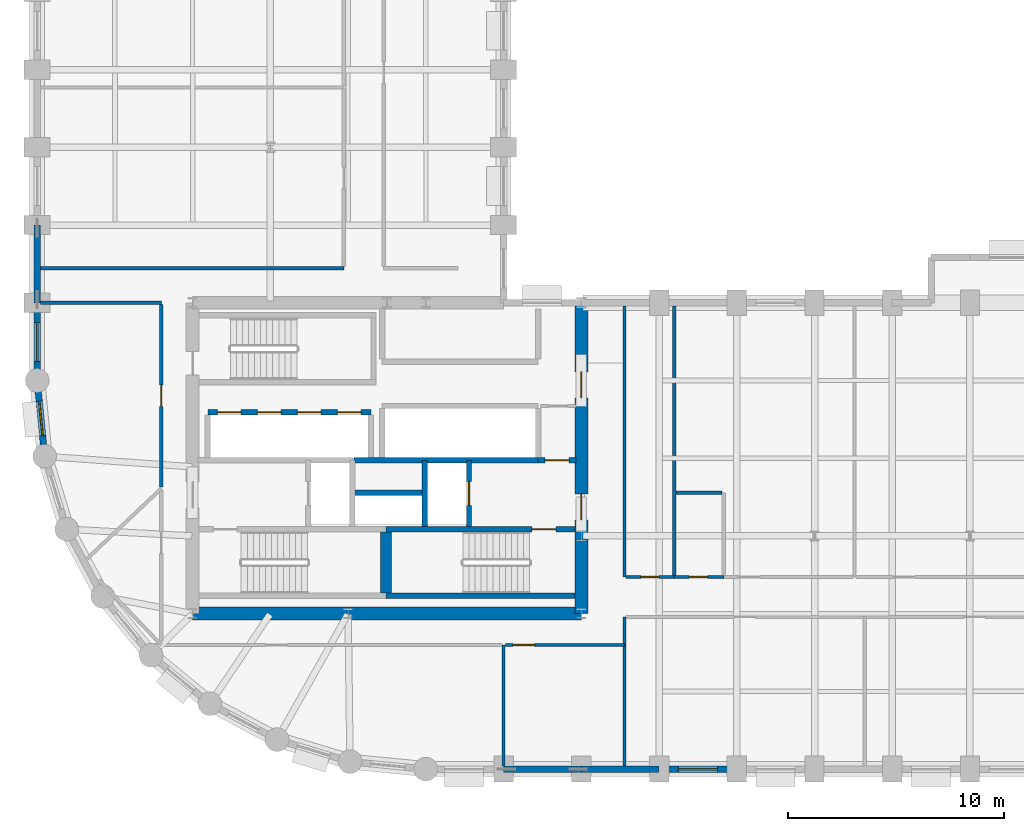
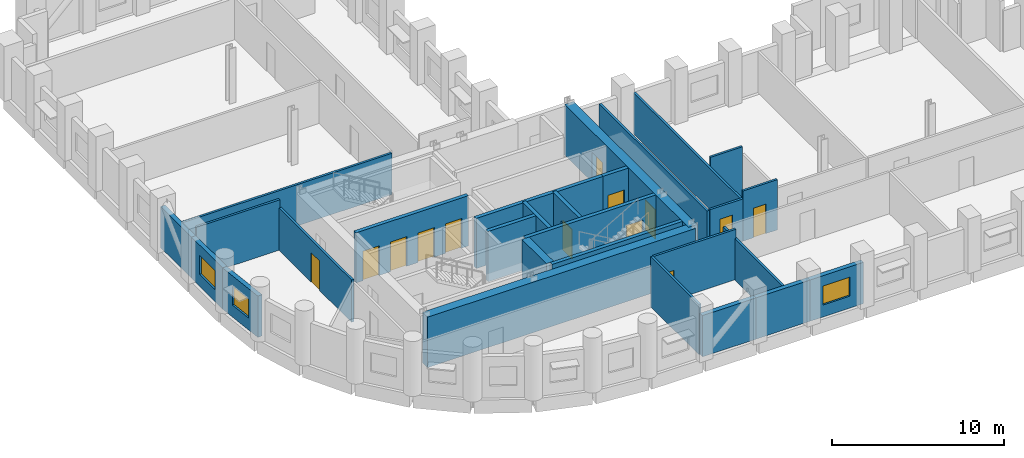
# One storey, part 4 of 9: 28 walls, 13 doors, 3 windows, 16 openings.
"""IFC4 building model written with IfcOpenShell, lengths in metres."""

from ifc_helpers import new_model, si_unit, direction, frame, frame_2d, origin, place, context, subcontext, project, spatial, rectangle, extrude, material, layer, layer_set, type_object, element, fill, save


model = new_model("IFC4")

# Units and contexts
model_context = context("Model", 3, precision=1e-05, world=origin(), true_north=direction((0.0, 1.0)))
body_context = subcontext(model_context, "Body", "Model", "MODEL_VIEW")
ifc_project = project(units=[si_unit("LENGTHUNIT", "METRE"), si_unit("AREAUNIT", "SQUARE_METRE"), si_unit("VOLUMEUNIT", "CUBIC_METRE"), si_unit("PLANEANGLEUNIT", "RADIAN"), si_unit("MASSUNIT", "GRAM", prefix="KILO")], contexts=[model_context])

# Site, building, storey
site_placement = place(None, origin())
site = spatial("IfcSite", under=ifc_project, at=site_placement, CompositionType="ELEMENT")
building_placement = place(site_placement, origin())
building = spatial("IfcBuilding", under=site, at=building_placement, Name="Solnavia Interchange Tower", CompositionType="ELEMENT")
storey_placement = place(building_placement, frame((0.0, 0.0, 70.800048828125)))
storey = spatial("IfcBuildingStorey", under=building, at=storey_placement, Name="L17", CompositionType="ELEMENT", Elevation=70.800048828125)

# Walls
ifc_material_1 = material(Name="Concrete C40/50", Category="concrete")
ifc_layer_1 = layer(ifc_material_1, 0.300048828125)
ifc_layer_set_1 = layer_set([ifc_layer_1], Name="Concrete C40/50")
wall_type_1 = type_object("IfcWallType", Name="Wall-ExtSpandrel-300", PredefinedType="STANDARD", material=ifc_layer_set_1)
wall_1_placement = place(storey_placement, frame((32.39990234375, 3.60009765625, 0.0), z_axis=(0.0, 0.0, 1.0), x_axis=(-1.0, 0.0, 0.0)))
element("IfcWall", 1, at=wall_1_placement, inside=storey, type_object=wall_type_1, Name="EXW-L17-02 Exterior precast spandrel wall", PredefinedType="STANDARD", context=body_context, shape_type="SweptSolid", body=[
    extrude(rectangle(XDim=3.599853515625, YDim=0.300048828125, at=frame_2d((1.7998046875, 0.0))), origin(), (0.0, 0.0, 1.0), 2.929931640625),
])
wall_2_placement = place(storey_placement, frame((36.0, 3.60009765625, 0.0), z_axis=(0.0, 0.0, 1.0), x_axis=(-1.0, 0.0, 0.0)))
element("IfcWall", 2, at=wall_2_placement, inside=storey, type_object=wall_type_1, Name="EXW-L17-03 Exterior precast spandrel wall", PredefinedType="STANDARD", context=body_context, shape_type="SweptSolid", body=[
    extrude(rectangle(XDim=3.60009765625, YDim=0.300048828125, at=frame_2d((1.800048828125, 0.0))), origin(), (0.0, 0.0, 1.0), 2.929931640625),
])

# Wall, opening, window
wall_3_placement = place(storey_placement, frame((39.60009765625, 3.60009765625, 0.0), z_axis=(0.0, 0.0, 1.0), x_axis=(-1.0, 0.0, 0.0)))
wall_3 = element("IfcWall", 3, at=wall_3_placement, inside=storey, type_object=wall_type_1, Name="EXW-L17-04 Exterior precast spandrel wall", PredefinedType="STANDARD", context=body_context, shape_type="SweptSolid", body=[
    extrude(rectangle(XDim=3.60009765625, YDim=0.300048828125, at=frame_2d((1.800048828125, 0.0))), origin(), (0.0, 0.0, 1.0), 2.929931640625),
])
opening_1_placement = place(wall_3_placement, frame((0.89990234375, 0.0, 0.85009765625)))
opening_1 = element("IfcOpeningElement", 4, at=opening_1_placement, cuts=wall_3, Name="Opening WIN-02", PredefinedType="OPENING", context=body_context, shape_type="SweptSolid", body=[
    extrude(rectangle(XDim=1.800048828125, YDim=1.35009765625, at=frame_2d((0.89990234375, 0.675048828125))), frame((0.0, 0.16015625, 0.0), z_axis=(0.0, -1.0, 0.0), x_axis=(1.0, 0.0, 0.0)), (0.0, 0.0, 1.0), 0.320068359375),
])
ifc_material_2 = material(Name="Thermal-Break Aluminium & Low-E Glass", Category="aluminium")
window_type_1 = type_object("IfcWindowType", Name="Window-Ribbon-1800x1350", PartitioningType="SINGLE_PANEL", PredefinedType="WINDOW", material=ifc_material_2)
window_1_placement = place(opening_1_placement, origin())
window_1 = element("IfcWindow", 5, at=window_1_placement, inside=storey, type_object=window_type_1, Name="WIN-L17-04 Facade ribbon window", OverallHeight=1.35009765625, OverallWidth=1.800048828125, PartitioningType="SINGLE_PANEL", PredefinedType="WINDOW", context=body_context, shape_type="SweptSolid", body=[
    extrude(rectangle(XDim=1.800048828125, YDim=1.35009765625, at=frame_2d((0.89990234375, 0.675048828125))), frame((0.0, 0.030029296875, 0.0), z_axis=(0.0, -1.0, 0.0), x_axis=(1.0, 0.0, 0.0)), (0.0, 0.0, 1.0), 0.06005859375),
])
fill(opening_1, window_1)

# Wall
wall_4_placement = place(storey_placement, frame((7.199951171875, 25.199951171875, 0.0), z_axis=(0.0, 0.0, 1.0), x_axis=(0.0, 1.0, 0.0)))
element("IfcWall", 6, at=wall_4_placement, inside=storey, type_object=wall_type_1, Name="EXW-L17-57 Exterior precast spandrel wall", PredefinedType="STANDARD", context=body_context, shape_type="SweptSolid", body=[
    extrude(rectangle(XDim=3.60009765625, YDim=0.300048828125, at=frame_2d((1.800048828125, 0.0))), origin(), (0.0, 0.0, 1.0), 2.929931640625),
])

# Wall, opening, window
wall_5_placement = place(storey_placement, frame((7.199951171875, 21.60009765625, 0.0), z_axis=(0.0, 0.0, 1.0), x_axis=(0.0, 1.0, 0.0)))
wall_5 = element("IfcWall", 7, at=wall_5_placement, inside=storey, type_object=wall_type_1, Name="EXW-L17-58 Exterior precast spandrel wall", PredefinedType="STANDARD", context=body_context, shape_type="SweptSolid", body=[
    extrude(rectangle(XDim=3.599853515625, YDim=0.300048828125, at=frame_2d((1.7998046875, 0.0))), origin(), (0.0, 0.0, 1.0), 2.929931640625),
])
opening_2_placement = place(wall_5_placement, frame((0.875, 0.0, 0.85009765625)))
opening_2 = element("IfcOpeningElement", 8, at=opening_2_placement, cuts=wall_5, Name="Opening WIN-02", PredefinedType="OPENING", context=body_context, shape_type="SweptSolid", body=[
    extrude(rectangle(XDim=1.800048828125, YDim=1.35009765625, at=frame_2d((0.89990234375, 0.675048828125))), frame((0.0, 0.16015625, 0.0), z_axis=(0.0, -1.0, 0.0), x_axis=(1.0, 0.0, 0.0)), (0.0, 0.0, 1.0), 0.320068359375),
])
window_2_placement = place(opening_2_placement, origin())
window_2 = element("IfcWindow", 9, at=window_2_placement, inside=storey, type_object=window_type_1, Name="WIN-L17-58 Facade ribbon window", OverallHeight=1.35009765625, OverallWidth=1.800048828125, PartitioningType="SINGLE_PANEL", PredefinedType="WINDOW", context=body_context, shape_type="SweptSolid", body=[
    extrude(rectangle(XDim=1.800048828125, YDim=1.35009765625, at=frame_2d((0.89990234375, 0.675048828125))), frame((0.0, 0.030029296875, 0.0), z_axis=(0.0, -1.0, 0.0), x_axis=(1.0, 0.0, 0.0)), (0.0, 0.0, 1.0), 0.06005859375),
])
fill(opening_2, window_2)

wall_6_placement = place(storey_placement, frame((7.5458984375, 18.087890625, 0.0), z_axis=(0.0, 0.0, 1.0), x_axis=(-0.09802417461, 0.995184033831, 0.0)))
wall_6 = element("IfcWall", 10, at=wall_6_placement, inside=storey, type_object=wall_type_1, Name="EXW-L17-59 Exterior precast spandrel wall", PredefinedType="STANDARD", context=body_context, shape_type="SweptSolid", body=[
    extrude(rectangle(XDim=3.529296875, YDim=0.300048828125, at=frame_2d((1.7646484375, 0.0))), origin(), (0.0, 0.0, 1.0), 2.929931640625),
])
opening_3_placement = place(wall_6_placement, frame((0.965087890625, 0.0, 0.85009765625)))
opening_3 = element("IfcOpeningElement", 11, at=opening_3_placement, cuts=wall_6, Name="Opening WIN-04", PredefinedType="OPENING", context=body_context, shape_type="SweptSolid", body=[
    extrude(rectangle(XDim=1.60009765625, YDim=1.35009765625, at=frame_2d((0.800048828125, 0.675048828125))), frame((0.0, 0.16015625, 0.0), z_axis=(0.0, -1.0, 0.0), x_axis=(1.0, 0.0, 0.0)), (0.0, 0.0, 1.0), 0.320068359375),
])
window_type_2 = type_object("IfcWindowType", Name="Window-Drum-1600x1350", PartitioningType="SINGLE_PANEL", PredefinedType="WINDOW", material=ifc_material_2)
window_3_placement = place(opening_3_placement, origin())
window_3 = element("IfcWindow", 12, at=window_3_placement, inside=storey, type_object=window_type_2, Name="WIN-L17-59 Facade ribbon window", OverallHeight=1.35009765625, OverallWidth=1.60009765625, PartitioningType="SINGLE_PANEL", PredefinedType="WINDOW", context=body_context, shape_type="SweptSolid", body=[
    extrude(rectangle(XDim=1.60009765625, YDim=1.35009765625, at=frame_2d((0.800048828125, 0.675048828125))), frame((0.0, 0.030029296875, 0.0), z_axis=(0.0, -1.0, 0.0), x_axis=(1.0, 0.0, 0.0)), (0.0, 0.0, 1.0), 0.06005859375),
])
fill(opening_3, window_3)

# Walls
ifc_material_3 = material(Name="Gypsum Plasterboard & Steel Stud", Category="steel")
ifc_layer_2 = layer(ifc_material_3, 0.14990234375)
ifc_layer_set_2 = layer_set([ifc_layer_2], Name="Gypsum Plasterboard & Steel Stud")
wall_type_2 = type_object("IfcWallType", Name="Wall-Partition-150", PredefinedType="PARTITIONING", material=ifc_layer_set_2)
wall_7_placement = place(storey_placement, frame((7.35400390625, 25.199951171875, 0.0), z_axis=(0.0, 0.0, 1.0), x_axis=(1.0, 0.0, 0.0)))
element("IfcWall", 13, at=wall_7_placement, inside=storey, type_object=wall_type_2, Name="PTW-L17-07 Interior partition wall", PredefinedType="PARTITIONING", context=body_context, shape_type="SweptSolid", body=[
    extrude(rectangle(XDim=5.595947265625, YDim=0.14990234375, at=frame_2d((2.7978515625, 0.0))), origin(), (0.0, 0.0, 1.0), 3.56494140625),
])
wall_8_placement = place(storey_placement, frame((28.800048828125, 9.35009765625, 0.0), z_axis=(0.0, 0.0, 1.0), x_axis=(0.0, -1.0, 0.0)))
element("IfcWall", 14, at=wall_8_placement, inside=storey, type_object=wall_type_2, Name="PTW-L17-08 Interior partition wall", PredefinedType="PARTITIONING", context=body_context, shape_type="SweptSolid", body=[
    extrude(rectangle(XDim=5.59619140625, YDim=0.14990234375, at=frame_2d((2.798095703125, 0.0))), origin(), (0.0, 0.0, 1.0), 3.56494140625),
])

# Wall, opening, door
wall_9_placement = place(storey_placement, frame((12.949951171875, 16.678955078125, 0.0), z_axis=(0.0, 0.0, 1.0), x_axis=(0.0, 1.0, 0.0)))
wall_9 = element("IfcWall", 15, at=wall_9_placement, inside=storey, type_object=wall_type_2, Name="PTW-L17-11 Interior partition wall", PredefinedType="PARTITIONING", context=body_context, shape_type="SweptSolid", body=[
    extrude(rectangle(XDim=8.442138671875, YDim=0.14990234375, at=frame_2d((4.22119140625, 0.0))), origin(), (0.0, 0.0, 1.0), 3.010009765625),
])
opening_4_placement = place(wall_9_placement, frame((3.720947265625, 0.0, 0.0)))
opening_4 = element("IfcOpeningElement", 16, at=opening_4_placement, cuts=wall_9, Name="Opening DR-07", PredefinedType="OPENING", context=body_context, shape_type="SweptSolid", body=[
    extrude(rectangle(XDim=1.0, YDim=2.10009765625, at=frame_2d((0.5, 1.050048828125))), frame((0.0, 0.0849609375, 0.0), z_axis=(0.0, -1.0, 0.0), x_axis=(1.0, 0.0, 0.0)), (0.0, 0.0, 1.0), 0.169921875),
])
ifc_material_4 = material(Name="Timber & Acoustic Glazed Office Door", Category="wood")
door_type_1 = type_object("IfcDoorType", Name="Door-Office-1000x2100", OperationType="SINGLE_SWING_RIGHT", PredefinedType="DOOR", material=ifc_material_4)
door_1_placement = place(opening_4_placement, origin())
door_1 = element("IfcDoor", 17, at=door_1_placement, inside=storey, type_object=door_type_1, Name="DR-L17-03 Interior room door", OperationType="SINGLE_SWING_LEFT", OverallHeight=2.10009765625, OverallWidth=1.0, PredefinedType="DOOR", context=body_context, shape_type="SweptSolid", body=[
    extrude(rectangle(XDim=1.0, YDim=2.10009765625, at=frame_2d((0.5, 1.050048828125))), frame((0.0, 0.02490234375, 0.0), z_axis=(0.0, -1.0, 0.0), x_axis=(1.0, 0.0, 0.0)), (0.0, 0.0, 1.0), 0.050048828125),
])
fill(opening_4, door_1)

wall_10_placement = place(storey_placement, frame((28.87890625, 9.35009765625, 0.0), z_axis=(0.0, 0.0, 1.0), x_axis=(1.0, 0.0, 0.0)))
wall_10 = element("IfcWall", 18, at=wall_10_placement, inside=storey, type_object=wall_type_2, Name="PTW-L17-14 Interior partition wall", PredefinedType="PARTITIONING", context=body_context, shape_type="SweptSolid", body=[
    extrude(rectangle(XDim=5.52099609375, YDim=0.14990234375, at=frame_2d((2.760498046875, 0.0))), origin(), (0.0, 0.0, 1.0), 3.56494140625),
])
opening_5_placement = place(wall_10_placement, frame((0.360107421875, 0.0, 0.0)))
opening_5 = element("IfcOpeningElement", 19, at=opening_5_placement, cuts=wall_10, Name="Opening DR-07", PredefinedType="OPENING", context=body_context, shape_type="SweptSolid", body=[
    extrude(rectangle(XDim=1.0, YDim=2.10009765625, at=frame_2d((0.5, 1.050048828125))), frame((0.0, 0.0849609375, 0.0), z_axis=(0.0, -1.0, 0.0), x_axis=(1.0, 0.0, 0.0)), (0.0, 0.0, 1.0), 0.169921875),
])
door_2_placement = place(opening_5_placement, origin())
door_2 = element("IfcDoor", 20, at=door_2_placement, inside=storey, type_object=door_type_1, Name="DR-L17-06 Interior room door", OperationType="SINGLE_SWING_LEFT", OverallHeight=2.10009765625, OverallWidth=1.0, PredefinedType="DOOR", context=body_context, shape_type="SweptSolid", body=[
    extrude(rectangle(XDim=1.0, YDim=2.10009765625, at=frame_2d((0.5, 1.050048828125))), frame((0.0, 0.02490234375, 0.0), z_axis=(0.0, -1.0, 0.0), x_axis=(1.0, 0.0, 0.0)), (0.0, 0.0, 1.0), 0.050048828125),
])
fill(opening_5, door_2)

# Walls
wall_11_placement = place(storey_placement, frame((34.39990234375, 3.75390625, 0.0), z_axis=(0.0, 0.0, 1.0), x_axis=(0.0, 1.0, 0.0)))
element("IfcWall", 21, at=wall_11_placement, inside=storey, type_object=wall_type_2, Name="PTW-L17-15 Interior partition wall", PredefinedType="PARTITIONING", context=body_context, shape_type="SweptSolid", body=[
    extrude(rectangle(XDim=6.89599609375, YDim=0.14990234375, at=frame_2d((3.447998046875, 0.0))), origin(), (0.0, 0.0, 1.0), 2.929931640625),
])
wall_12_placement = place(storey_placement, frame((7.35400390625, 26.800048828125, 0.0), z_axis=(0.0, 0.0, 1.0), x_axis=(1.0, 0.0, 0.0)))
element("IfcWall", 22, at=wall_12_placement, inside=storey, type_object=wall_type_2, Name="PTW-L17-25 Interior partition wall", PredefinedType="PARTITIONING", context=body_context, shape_type="SweptSolid", body=[
    extrude(rectangle(XDim=14.0458984375, YDim=0.14990234375, at=frame_2d((7.02294921875, 0.0))), origin(), (0.0, 0.0, 1.0), 2.929931640625),
])
ifc_layer_3 = layer(ifc_material_1, 0.25)
ifc_layer_set_3 = layer_set([ifc_layer_3], Name="Concrete C40/50")
wall_type_3 = type_object("IfcWallType", Name="Wall-ShaftCore-250", PredefinedType="SHEAR", material=ifc_layer_set_3)
wall_13_placement = place(storey_placement, frame((23.35009765625, 11.625, 0.0), z_axis=(0.0, 0.0, 1.0), x_axis=(1.0, 0.0, 0.0)))
element("IfcWall", 23, at=wall_13_placement, inside=storey, type_object=wall_type_3, Name="SHW-L17-ST2S Core shear wall", PredefinedType="SHEAR", context=body_context, shape_type="SweptSolid", body=[
    extrude(rectangle(XDim=8.75, YDim=0.25, at=frame_2d((4.375, 0.0))), origin(), (0.0, 0.0, 1.0), 3.579833984375),
])

# Wall, opening, door
wall_14_placement = place(storey_placement, frame((23.35009765625, 14.715087890625, 0.0), z_axis=(0.0, 0.0, 1.0), x_axis=(1.0, 0.0, 0.0)))
wall_14 = element("IfcWall", 24, at=wall_14_placement, inside=storey, type_object=wall_type_3, Name="SHW-L17-ST2N Core shear wall", PredefinedType="SHEAR", context=body_context, shape_type="SweptSolid", body=[
    extrude(rectangle(XDim=8.75, YDim=0.25, at=frame_2d((4.375, 0.0))), origin(), (0.0, 0.0, 1.0), 3.579833984375),
])
opening_6_placement = place(wall_14_placement, frame((6.77490234375, 0.0, 0.0)))
opening_6 = element("IfcOpeningElement", 25, at=opening_6_placement, cuts=wall_14, Name="Opening DR-01", PredefinedType="OPENING", context=body_context, shape_type="SweptSolid", body=[
    extrude(rectangle(XDim=1.10009765625, YDim=2.10009765625, at=frame_2d((0.550048828125, 1.050048828125))), frame((0.0, 0.135009765625, 0.0), z_axis=(0.0, -1.0, 0.0), x_axis=(1.0, 0.0, 0.0)), (0.0, 0.0, 1.0), 0.27001953125),
])
ifc_material_5 = material(Name="Steel Fire-Rated Leaf & Frame", Category="steel")
door_type_2 = type_object("IfcDoorType", Name="Door-StairFire-1100x2100", OperationType="SINGLE_SWING_LEFT", PredefinedType="DOOR", material=ifc_material_5)
door_3_placement = place(opening_6_placement, origin())
door_3 = element("IfcDoor", 26, at=door_3_placement, inside=storey, type_object=door_type_2, Name="DR-L17-ST2 Core fire door", OperationType="SINGLE_SWING_LEFT", OverallHeight=2.10009765625, OverallWidth=1.10009765625, PredefinedType="DOOR", context=body_context, shape_type="SweptSolid", body=[
    extrude(rectangle(XDim=1.10009765625, YDim=2.10009765625, at=frame_2d((0.550048828125, 1.050048828125))), frame((0.0, 0.02490234375, 0.0), z_axis=(0.0, -1.0, 0.0), x_axis=(1.0, 0.0, 0.0)), (0.0, 0.0, 1.0), 0.050048828125),
])
fill(opening_6, door_3)

# Wall
ifc_layer_4 = layer(ifc_material_1, 0.25)
ifc_layer_set_4 = layer_set([ifc_layer_4], Name="Concrete C40/50")
wall_type_4 = type_object("IfcWallType", Name="Wall-ShaftPart-250", PredefinedType="PARTITIONING", material=ifc_layer_set_4)
wall_15_placement = place(storey_placement, frame((21.8798828125, 17.89990234375, 0.0), z_axis=(0.0, 0.0, 1.0), x_axis=(1.0, 0.0, 0.0)))
element("IfcWall", 27, at=wall_15_placement, inside=storey, type_object=wall_type_4, Name="SHW-L17-FFLE-N1 Core shaft wall", PredefinedType="PARTITIONING", context=body_context, shape_type="SweptSolid", body=[
    extrude(rectangle(XDim=8.52001953125, YDim=0.25, at=frame_2d((4.260009765625, 0.0))), origin(), (0.0, 0.0, 1.0), 3.56494140625),
])

# Wall, opening, door
wall_16_placement = place(storey_placement, frame((30.39990234375, 17.89990234375, 0.0), z_axis=(0.0, 0.0, 1.0), x_axis=(1.0, 0.0, 0.0)))
wall_16 = element("IfcWall", 28, at=wall_16_placement, inside=storey, type_object=wall_type_4, Name="SHW-L17-FFLE-N2 Core shaft wall", PredefinedType="PARTITIONING", context=body_context, shape_type="SweptSolid", body=[
    extrude(rectangle(XDim=1.75, YDim=0.25, at=frame_2d((0.875, 0.0))), origin(), (0.0, 0.0, 1.0), 3.56494140625),
])
opening_7_placement = place(wall_16_placement, frame((0.320068359375, 0.0, 0.0)))
opening_7 = element("IfcOpeningElement", 29, at=opening_7_placement, cuts=wall_16, Name="Opening DR-01", PredefinedType="OPENING", context=body_context, shape_type="SweptSolid", body=[
    extrude(rectangle(XDim=1.10009765625, YDim=2.10009765625, at=frame_2d((0.550048828125, 1.050048828125))), frame((0.0, 0.135009765625, 0.0), z_axis=(0.0, -1.0, 0.0), x_axis=(1.0, 0.0, 0.0)), (0.0, 0.0, 1.0), 0.27001953125),
])
door_4_placement = place(opening_7_placement, origin())
door_4 = element("IfcDoor", 30, at=door_4_placement, inside=storey, type_object=door_type_2, Name="DR-L17-LLC Core fire door", OperationType="SINGLE_SWING_LEFT", OverallHeight=2.10009765625, OverallWidth=1.10009765625, PredefinedType="DOOR", context=body_context, shape_type="SweptSolid", body=[
    extrude(rectangle(XDim=1.10009765625, YDim=2.10009765625, at=frame_2d((0.550048828125, 1.050048828125))), frame((0.0, 0.02490234375, 0.0), z_axis=(0.0, -1.0, 0.0), x_axis=(1.0, 0.0, 0.0)), (0.0, 0.0, 1.0), 0.050048828125),
])
fill(opening_7, door_4)

# Wall
wall_17_placement = place(storey_placement, frame((25.14990234375, 14.840087890625, 0.0), z_axis=(0.0, 0.0, 1.0), x_axis=(0.0, 1.0, 0.0)))
element("IfcWall", 31, at=wall_17_placement, inside=storey, type_object=wall_type_4, Name="SHW-L17-FFL2-W Core shaft wall", PredefinedType="PARTITIONING", context=body_context, shape_type="SweptSolid", body=[
    extrude(rectangle(XDim=3.059814453125, YDim=0.25, at=frame_2d((1.52978515625, 0.0))), origin(), (0.0, 0.0, 1.0), 3.56494140625),
])

# Wall, opening, door
wall_18_placement = place(storey_placement, frame((27.199951171875, 14.840087890625, 0.0), z_axis=(0.0, 0.0, 1.0), x_axis=(0.0, 1.0, 0.0)))
wall_18 = element("IfcWall", 32, at=wall_18_placement, inside=storey, type_object=wall_type_4, Name="SHW-L17-FFL2-E Core shaft wall", PredefinedType="PARTITIONING", context=body_context, shape_type="SweptSolid", body=[
    extrude(rectangle(XDim=3.059814453125, YDim=0.25, at=frame_2d((1.52978515625, 0.0))), origin(), (0.0, 0.0, 1.0), 3.56494140625),
])
opening_8_placement = place(wall_18_placement, frame((0.97998046875, 0.0, 0.0)))
opening_8 = element("IfcOpeningElement", 33, at=opening_8_placement, cuts=wall_18, Name="Opening LD-01", PredefinedType="OPENING", context=body_context, shape_type="SweptSolid", body=[
    extrude(rectangle(XDim=1.10009765625, YDim=2.10009765625, at=frame_2d((0.550048828125, 1.050048828125))), frame((0.0, 0.135009765625, 0.0), z_axis=(0.0, -1.0, 0.0), x_axis=(1.0, 0.0, 0.0)), (0.0, 0.0, 1.0), 0.27001953125),
])
ifc_material_6 = material(Name="Brushed Stainless Steel Sliding Door", Category="steel")
door_type_3 = type_object("IfcDoorType", Name="Door-LiftLanding-1100x2100", OperationType="SLIDING_TO_LEFT", PredefinedType="DOOR", material=ifc_material_6)
door_5_placement = place(opening_8_placement, origin())
door_5 = element("IfcDoor", 34, at=door_5_placement, inside=storey, type_object=door_type_3, Name="LD-L17-FFL2 Lift landing sliding door", OperationType="SLIDING_TO_LEFT", OverallHeight=2.10009765625, OverallWidth=1.10009765625, PredefinedType="DOOR", context=body_context, shape_type="SweptSolid", body=[
    extrude(rectangle(XDim=1.10009765625, YDim=2.10009765625, at=frame_2d((0.550048828125, 1.050048828125))), frame((0.0, 0.02490234375, 0.0), z_axis=(0.0, -1.0, 0.0), x_axis=(1.0, 0.0, 0.0)), (0.0, 0.0, 1.0), 0.050048828125),
])
fill(opening_8, door_5)

# Wall
wall_19_placement = place(storey_placement, frame((21.800048828125, 16.39990234375, 0.0), z_axis=(0.0, 0.0, 1.0), x_axis=(1.0, 0.0, 0.0)))
element("IfcWall", 35, at=wall_19_placement, inside=storey, type_object=wall_type_4, Name="SHW-L17-MEP-N Core shaft wall", PredefinedType="PARTITIONING", context=body_context, shape_type="SweptSolid", body=[
    extrude(rectangle(XDim=3.349853515625, YDim=0.25, at=frame_2d((1.6748046875, 0.0))), origin(), (0.0, 0.0, 1.0), 3.56494140625),
])

# Wall, openings, doors
wall_20_placement = place(storey_placement, frame((15.10009765625, 20.125, 0.0), z_axis=(0.0, 0.0, 1.0), x_axis=(1.0, 0.0, 0.0)))
wall_20 = element("IfcWall", 36, at=wall_20_placement, inside=storey, type_object=wall_type_4, Name="SHW-L17-B1N Core shaft wall", PredefinedType="PARTITIONING", context=body_context, shape_type="SweptSolid", body=[
    extrude(rectangle(XDim=7.5498046875, YDim=0.25, at=frame_2d((3.77490234375, 0.0))), origin(), (0.0, 0.0, 1.0), 3.56494140625),
])
opening_9_placement = place(wall_20_placement, frame((0.449951171875, 0.0, 0.0)))
opening_9 = element("IfcOpeningElement", 37, at=opening_9_placement, cuts=wall_20, Name="Opening LD-01", PredefinedType="OPENING", context=body_context, shape_type="SweptSolid", body=[
    extrude(rectangle(XDim=1.10009765625, YDim=2.10009765625, at=frame_2d((0.550048828125, 1.050048828125))), frame((0.0, 0.135009765625, 0.0), z_axis=(0.0, -1.0, 0.0), x_axis=(1.0, 0.0, 0.0)), (0.0, 0.0, 1.0), 0.27001953125),
])
opening_10_placement = place(wall_20_placement, frame((2.300048828125, 0.0, 0.0)))
opening_10 = element("IfcOpeningElement", 38, at=opening_10_placement, cuts=wall_20, Name="Opening LD-01", PredefinedType="OPENING", context=body_context, shape_type="SweptSolid", body=[
    extrude(rectangle(XDim=1.10009765625, YDim=2.10009765625, at=frame_2d((0.550048828125, 1.050048828125))), frame((0.0, 0.135009765625, 0.0), z_axis=(0.0, -1.0, 0.0), x_axis=(1.0, 0.0, 0.0)), (0.0, 0.0, 1.0), 0.27001953125),
])
opening_11_placement = place(wall_20_placement, frame((4.14990234375, 0.0, 0.0)))
opening_11 = element("IfcOpeningElement", 39, at=opening_11_placement, cuts=wall_20, Name="Opening LD-01", PredefinedType="OPENING", context=body_context, shape_type="SweptSolid", body=[
    extrude(rectangle(XDim=1.10009765625, YDim=2.10009765625, at=frame_2d((0.550048828125, 1.050048828125))), frame((0.0, 0.135009765625, 0.0), z_axis=(0.0, -1.0, 0.0), x_axis=(1.0, 0.0, 0.0)), (0.0, 0.0, 1.0), 0.27001953125),
])
opening_12_placement = place(wall_20_placement, frame((6.0, 0.0, 0.0)))
opening_12 = element("IfcOpeningElement", 40, at=opening_12_placement, cuts=wall_20, Name="Opening LD-01", PredefinedType="OPENING", context=body_context, shape_type="SweptSolid", body=[
    extrude(rectangle(XDim=1.10009765625, YDim=2.10009765625, at=frame_2d((0.550048828125, 1.050048828125))), frame((0.0, 0.135009765625, 0.0), z_axis=(0.0, -1.0, 0.0), x_axis=(1.0, 0.0, 0.0)), (0.0, 0.0, 1.0), 0.27001953125),
])
door_6_placement = place(opening_9_placement, origin())
door_6 = element("IfcDoor", 41, at=door_6_placement, inside=storey, type_object=door_type_3, Name="LD-L17-B1-1 Lift landing sliding door", OperationType="SLIDING_TO_LEFT", OverallHeight=2.10009765625, OverallWidth=1.10009765625, PredefinedType="DOOR", context=body_context, shape_type="SweptSolid", body=[
    extrude(rectangle(XDim=1.10009765625, YDim=2.10009765625, at=frame_2d((0.550048828125, 1.050048828125))), frame((0.0, 0.02490234375, 0.0), z_axis=(0.0, -1.0, 0.0), x_axis=(1.0, 0.0, 0.0)), (0.0, 0.0, 1.0), 0.050048828125),
])
fill(opening_9, door_6)
door_7_placement = place(opening_10_placement, origin())
door_7 = element("IfcDoor", 42, at=door_7_placement, inside=storey, type_object=door_type_3, Name="LD-L17-B1-2 Lift landing sliding door", OperationType="SLIDING_TO_LEFT", OverallHeight=2.10009765625, OverallWidth=1.10009765625, PredefinedType="DOOR", context=body_context, shape_type="SweptSolid", body=[
    extrude(rectangle(XDim=1.10009765625, YDim=2.10009765625, at=frame_2d((0.550048828125, 1.050048828125))), frame((0.0, 0.02490234375, 0.0), z_axis=(0.0, -1.0, 0.0), x_axis=(1.0, 0.0, 0.0)), (0.0, 0.0, 1.0), 0.050048828125),
])
fill(opening_10, door_7)
door_8_placement = place(opening_11_placement, origin())
door_8 = element("IfcDoor", 43, at=door_8_placement, inside=storey, type_object=door_type_3, Name="LD-L17-B1-3 Lift landing sliding door", OperationType="SLIDING_TO_LEFT", OverallHeight=2.10009765625, OverallWidth=1.10009765625, PredefinedType="DOOR", context=body_context, shape_type="SweptSolid", body=[
    extrude(rectangle(XDim=1.10009765625, YDim=2.10009765625, at=frame_2d((0.550048828125, 1.050048828125))), frame((0.0, 0.02490234375, 0.0), z_axis=(0.0, -1.0, 0.0), x_axis=(1.0, 0.0, 0.0)), (0.0, 0.0, 1.0), 0.050048828125),
])
fill(opening_11, door_8)
door_9_placement = place(opening_12_placement, origin())
door_9 = element("IfcDoor", 44, at=door_9_placement, inside=storey, type_object=door_type_3, Name="LD-L17-B1-4 Lift landing sliding door", OperationType="SLIDING_TO_LEFT", OverallHeight=2.10009765625, OverallWidth=1.10009765625, PredefinedType="DOOR", context=body_context, shape_type="SweptSolid", body=[
    extrude(rectangle(XDim=1.10009765625, YDim=2.10009765625, at=frame_2d((0.550048828125, 1.050048828125))), frame((0.0, 0.02490234375, 0.0), z_axis=(0.0, -1.0, 0.0), x_axis=(1.0, 0.0, 0.0)), (0.0, 0.0, 1.0), 0.050048828125),
])
fill(opening_12, door_9)

# Walls
ifc_material_7 = material(Name="Concrete C60/75", Category="concrete")
ifc_layer_5 = layer(ifc_material_7, 0.5)
ifc_layer_set_5 = layer_set([ifc_layer_5], Name="Concrete C60/75")
wall_type_5 = type_object("IfcWallType", Name="Wall-ShearCore-500", PredefinedType="SHEAR", material=ifc_layer_set_5)
wall_21_placement = place(storey_placement, frame((23.35009765625, 11.75, 0.0), z_axis=(0.0, 0.0, 1.0), x_axis=(0.0, 1.0, 0.0)))
element("IfcWall", 45, at=wall_21_placement, inside=storey, type_object=wall_type_5, Name="SHW-L17-ST12M Core shear wall", PredefinedType="SHEAR", context=body_context, shape_type="SweptSolid", body=[
    extrude(rectangle(XDim=2.840087890625, YDim=0.5, at=frame_2d((1.419921875, 0.0))), origin(), (0.0, 0.0, 1.0), 3.579833984375),
])
ifc_layer_6 = layer(ifc_material_7, 0.60009765625)
ifc_layer_set_6 = layer_set([ifc_layer_6], Name="Concrete C60/75")
wall_type_6 = type_object("IfcWallType", Name="Wall-ShearCore-600", PredefinedType="SHEAR", material=ifc_layer_set_6)
wall_22_placement = place(storey_placement, frame((14.39990234375, 10.800048828125, 0.0), z_axis=(0.0, 0.0, 1.0), x_axis=(1.0, 0.0, 0.0)))
element("IfcWall", 46, at=wall_22_placement, inside=storey, type_object=wall_type_6, Name="CRW-L17-S Core shear wall", PredefinedType="SHEAR", context=body_context, shape_type="SweptSolid", body=[
    extrude(rectangle(XDim=18.0, YDim=0.60009765625, at=frame_2d((9.0, 0.0))), origin(), (0.0, 0.0, 1.0), 3.579833984375),
])

# Wall, openings, doors
wall_23_placement = place(storey_placement, frame((32.39990234375, 10.800048828125, 0.0), z_axis=(0.0, 0.0, 1.0), x_axis=(0.0, 1.0, 0.0)))
wall_23 = element("IfcWall", 47, at=wall_23_placement, inside=storey, type_object=wall_type_6, Name="CRW-L17-E Core shear wall", PredefinedType="SHEAR", context=body_context, shape_type="SweptSolid", body=[
    extrude(rectangle(XDim=14.39990234375, YDim=0.60009765625, at=frame_2d((7.199951171875, 0.0))), origin(), (0.0, 0.0, 1.0), 3.579833984375),
])
opening_13_placement = place(wall_23_placement, frame((4.35009765625, 0.0, 0.0)))
opening_13 = element("IfcOpeningElement", 48, at=opening_13_placement, cuts=wall_23, Name="Opening DR-02", PredefinedType="OPENING", context=body_context, shape_type="SweptSolid", body=[
    extrude(rectangle(XDim=1.199951171875, YDim=2.10009765625, at=frame_2d((0.60009765625, 1.050048828125))), frame((0.0, 0.31005859375, 0.0), z_axis=(0.0, -1.0, 0.0), x_axis=(1.0, 0.0, 0.0)), (0.0, 0.0, 1.0), 0.6201171875),
])
opening_14_placement = place(wall_23_placement, frame((10.0, 0.0, 0.0)))
opening_14 = element("IfcOpeningElement", 49, at=opening_14_placement, cuts=wall_23, Name="Opening DR-02", PredefinedType="OPENING", context=body_context, shape_type="SweptSolid", body=[
    extrude(rectangle(XDim=1.199951171875, YDim=2.10009765625, at=frame_2d((0.60009765625, 1.050048828125))), frame((0.0, 0.31005859375, 0.0), z_axis=(0.0, -1.0, 0.0), x_axis=(1.0, 0.0, 0.0)), (0.0, 0.0, 1.0), 0.6201171875),
])
ifc_material_8 = material(Name="Steel Fire-Rated Vision-Panel Door", Category="steel")
door_type_4 = type_object("IfcDoorType", Name="Door-LobbyFire-1200x2100", OperationType="SINGLE_SWING_RIGHT", PredefinedType="DOOR", material=ifc_material_8)
door_10_placement = place(opening_13_placement, origin())
door_10 = element("IfcDoor", 50, at=door_10_placement, inside=storey, type_object=door_type_4, Name="DR-L17-FFL2E Core fire door", OperationType="SINGLE_SWING_LEFT", OverallHeight=2.10009765625, OverallWidth=1.199951171875, PredefinedType="DOOR", context=body_context, shape_type="SweptSolid", body=[
    extrude(rectangle(XDim=1.199951171875, YDim=2.10009765625, at=frame_2d((0.60009765625, 1.050048828125))), frame((0.0, 0.02490234375, 0.0), z_axis=(0.0, -1.0, 0.0), x_axis=(1.0, 0.0, 0.0)), (0.0, 0.0, 1.0), 0.050048828125),
])
fill(opening_13, door_10)
door_11_placement = place(opening_14_placement, origin())
door_11 = element("IfcDoor", 51, at=door_11_placement, inside=storey, type_object=door_type_4, Name="DR-L17-LLE Core fire door", OperationType="SINGLE_SWING_RIGHT", OverallHeight=2.10009765625, OverallWidth=1.199951171875, PredefinedType="DOOR", context=body_context, shape_type="SweptSolid", body=[
    extrude(rectangle(XDim=1.199951171875, YDim=2.10009765625, at=frame_2d((0.60009765625, 1.050048828125))), frame((0.0, 0.02490234375, 0.0), z_axis=(0.0, -1.0, 0.0), x_axis=(1.0, 0.0, 0.0)), (0.0, 0.0, 1.0), 0.050048828125),
])
fill(opening_14, door_11)

# Wall
ifc_material_9 = material(Name="Moisture-Resistant Gypsum & Steel Stud", Category="steel")
ifc_layer_7 = layer(ifc_material_9, 0.14990234375)
ifc_layer_set_7 = layer_set([ifc_layer_7], Name="Moisture-Resistant Gypsum & Steel Stud")
wall_type_7 = type_object("IfcWallType", Name="Wall-WetRoom-150", PredefinedType="PARTITIONING", material=ifc_layer_set_7)
wall_24_placement = place(storey_placement, frame((34.39990234375, 12.5, 0.0), z_axis=(0.0, 0.0, 1.0), x_axis=(0.0, 1.0, 0.0)))
element("IfcWall", 52, at=wall_24_placement, inside=storey, type_object=wall_type_7, Name="PTW-L17-01 Interior partition wall", PredefinedType="PARTITIONING", context=body_context, shape_type="SweptSolid", body=[
    extrude(rectangle(XDim=12.5458984375, YDim=0.14990234375, at=frame_2d((6.27294921875, 0.0))), origin(), (0.0, 0.0, 1.0), 2.929931640625),
])

# Wall, opening, door
wall_25_placement = place(storey_placement, frame((34.47900390625, 12.5, 0.0), z_axis=(0.0, 0.0, 1.0), x_axis=(1.0, 0.0, 0.0)))
wall_25 = element("IfcWall", 53, at=wall_25_placement, inside=storey, type_object=wall_type_7, Name="PTW-L17-02 Interior partition wall", PredefinedType="PARTITIONING", context=body_context, shape_type="SweptSolid", body=[
    extrude(rectangle(XDim=2.220947265625, YDim=0.14990234375, at=frame_2d((1.1103515625, 0.0))), origin(), (0.0, 0.0, 1.0), 3.010009765625),
])
opening_15_placement = place(wall_25_placement, frame((0.674072265625, 0.0, 0.0)))
opening_15 = element("IfcOpeningElement", 54, at=opening_15_placement, cuts=wall_25, Name="Opening DR-10", PredefinedType="OPENING", context=body_context, shape_type="SweptSolid", body=[
    extrude(rectangle(XDim=0.85009765625, YDim=2.10009765625, at=frame_2d((0.425048828125, 1.050048828125))), frame((0.0, 0.0849609375, 0.0), z_axis=(0.0, -1.0, 0.0), x_axis=(1.0, 0.0, 0.0)), (0.0, 0.0, 1.0), 0.169921875),
])
ifc_material_10 = material(Name="Moisture-Resistant Timber Door", Category="wood")
door_type_5 = type_object("IfcDoorType", Name="Door-Bathroom-850x2100", OperationType="SINGLE_SWING_RIGHT", PredefinedType="DOOR", material=ifc_material_10)
door_12_placement = place(opening_15_placement, origin())
door_12 = element("IfcDoor", 55, at=door_12_placement, inside=storey, type_object=door_type_5, Name="DR-L17-01 Interior room door", OperationType="SINGLE_SWING_RIGHT", OverallHeight=2.10009765625, OverallWidth=0.85009765625, PredefinedType="DOOR", context=body_context, shape_type="SweptSolid", body=[
    extrude(rectangle(XDim=0.85009765625, YDim=2.10009765625, at=frame_2d((0.425048828125, 1.050048828125))), frame((0.0, 0.02490234375, 0.0), z_axis=(0.0, -1.0, 0.0), x_axis=(1.0, 0.0, 0.0)), (0.0, 0.0, 1.0), 0.050048828125),
])
fill(opening_15, door_12)

# Wall
wall_26_placement = place(storey_placement, frame((36.699951171875, 12.5791015625, 0.0), z_axis=(0.0, 0.0, 1.0), x_axis=(0.0, 1.0, 0.0)))
element("IfcWall", 56, at=wall_26_placement, inside=storey, type_object=wall_type_7, Name="PTW-L17-03 Interior partition wall", PredefinedType="PARTITIONING", context=body_context, shape_type="SweptSolid", body=[
    extrude(rectangle(XDim=12.466796875, YDim=0.14990234375, at=frame_2d((6.2333984375, 0.0))), origin(), (0.0, 0.0, 1.0), 2.929931640625),
])

# Wall, opening, door
wall_27_placement = place(storey_placement, frame((36.699951171875, 12.5, 0.0), z_axis=(0.0, 0.0, 1.0), x_axis=(1.0, 0.0, 0.0)))
wall_27 = element("IfcWall", 57, at=wall_27_placement, inside=storey, type_object=wall_type_7, Name="PTW-L17-04 Interior partition wall", PredefinedType="PARTITIONING", context=body_context, shape_type="SweptSolid", body=[
    extrude(rectangle(XDim=2.300048828125, YDim=0.14990234375, at=frame_2d((1.14990234375, 0.0))), origin(), (0.0, 0.0, 1.0), 3.56494140625),
])
opening_16_placement = place(wall_27_placement, frame((0.697021484375, 0.0, 0.0)))
opening_16 = element("IfcOpeningElement", 58, at=opening_16_placement, cuts=wall_27, Name="Opening DR-10", PredefinedType="OPENING", context=body_context, shape_type="SweptSolid", body=[
    extrude(rectangle(XDim=0.85009765625, YDim=2.10009765625, at=frame_2d((0.425048828125, 1.050048828125))), frame((0.0, 0.0849609375, 0.0), z_axis=(0.0, -1.0, 0.0), x_axis=(1.0, 0.0, 0.0)), (0.0, 0.0, 1.0), 0.169921875),
])
door_13_placement = place(opening_16_placement, origin())
door_13 = element("IfcDoor", 59, at=door_13_placement, inside=storey, type_object=door_type_5, Name="DR-L17-02 Interior room door", OperationType="SINGLE_SWING_RIGHT", OverallHeight=2.10009765625, OverallWidth=0.85009765625, PredefinedType="DOOR", context=body_context, shape_type="SweptSolid", body=[
    extrude(rectangle(XDim=0.85009765625, YDim=2.10009765625, at=frame_2d((0.425048828125, 1.050048828125))), frame((0.0, 0.02490234375, 0.0), z_axis=(0.0, -1.0, 0.0), x_axis=(1.0, 0.0, 0.0)), (0.0, 0.0, 1.0), 0.050048828125),
])
fill(opening_16, door_13)

# Wall
wall_28_placement = place(storey_placement, frame((36.779052734375, 16.39990234375, 0.0), z_axis=(0.0, 0.0, 1.0), x_axis=(1.0, 0.0, 0.0)))
element("IfcWall", 60, at=wall_28_placement, inside=storey, type_object=wall_type_7, Name="PTW-L17-06 Interior partition wall", PredefinedType="PARTITIONING", context=body_context, shape_type="SweptSolid", body=[
    extrude(rectangle(XDim=2.141845703125, YDim=0.14990234375, at=frame_2d((1.07080078125, 0.0))), origin(), (0.0, 0.0, 1.0), 3.56494140625),
])

save(model, "model.ifc")
